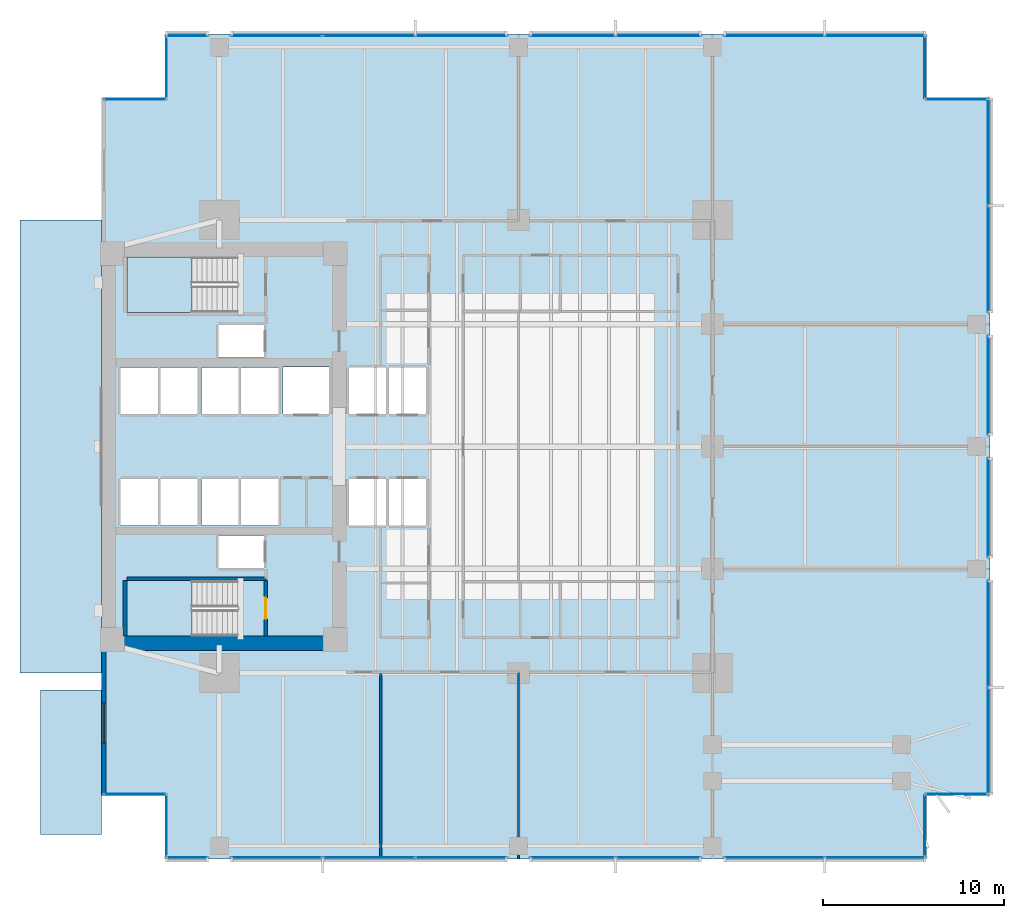
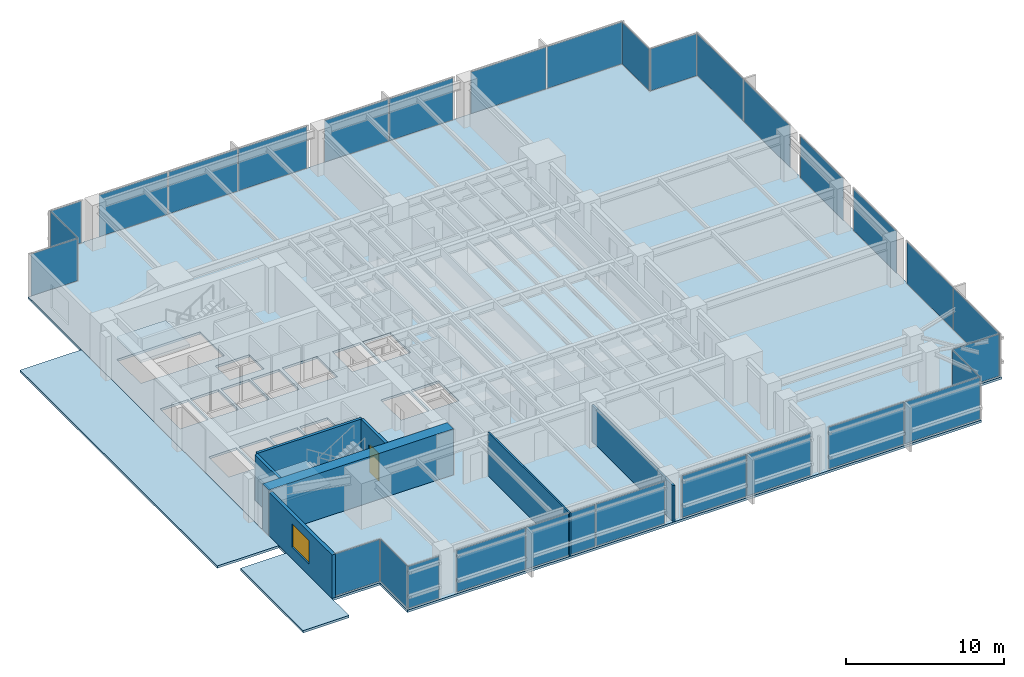
# One storey, part 8 of 16: 30 plates, 7 walls, 5 slabs, 1 door, 1 window, 2 openings, 22 elements without a shape of their own.
"""IFC4 building model written with IfcOpenShell, lengths in metres."""

from ifc_helpers import new_model, si_unit, direction, frame, frame_2d, origin, origin_2d, place, context, subcontext, project, spatial, polyline, rectangle, outline, extrude, material, layer, layer_set, type_object, element, fill, aggregate, save


model = new_model("IFC4")

# Units and contexts
model_context = context("Model", 3, precision=1e-05, world=origin(), true_north=direction((0.0, 1.0)))
body_context = subcontext(model_context, "Body", "Model", "MODEL_VIEW")
ifc_project = project(units=[si_unit("LENGTHUNIT", "METRE"), si_unit("AREAUNIT", "SQUARE_METRE"), si_unit("VOLUMEUNIT", "CUBIC_METRE"), si_unit("PLANEANGLEUNIT", "RADIAN"), si_unit("MASSUNIT", "GRAM", prefix="KILO")], contexts=[model_context])

# Site, building, storey
site_placement = place(None, origin())
site = spatial("IfcSite", under=ifc_project, at=site_placement, CompositionType="ELEMENT")
building_placement = place(site_placement, origin())
building = spatial("IfcBuilding", under=site, at=building_placement, Name="Kinhvarn Gate Tower", CompositionType="ELEMENT")
storey_placement = place(building_placement, frame((0.0, 0.0, 25.60009765625)))
storey = spatial("IfcBuildingStorey", under=building, at=storey_placement, Name="L05", CompositionType="ELEMENT", Elevation=25.60009765625)

# Curtain wall, plate
ifc_material_1 = material(Name="Anodised aluminium AW-6063", Category="aluminium")
ifc_layer_1 = layer(ifc_material_1, 0.179931640625)
ifc_layer_set_1 = layer_set([ifc_layer_1], Name="Anodised aluminium AW-6063")
curtain_wall_type_1 = type_object("IfcCurtainWallType", Name="CW-SYS-2", PredefinedType="NOTDEFINED", material=ifc_layer_set_1)
curtain_wall_1_placement = place(storey_placement, origin())
curtain_wall_1 = element("IfcCurtainWall", 1, at=curtain_wall_1_placement, inside=storey, type_object=curtain_wall_type_1, Name="Curtain Wall CW2 (L05)", PredefinedType="NOTDEFINED")
ifc_material_2 = material(Name="Clear low-e double glazing", Category="glass")
ifc_layer_2 = layer(ifc_material_2, 0.031982421875)
ifc_layer_set_2 = layer_set([ifc_layer_2], Name="Clear low-e double glazing")
plate_type = type_object("IfcPlateType", Name="CW-PNL-VIS", PredefinedType="CURTAIN_PANEL", material=ifc_layer_set_2)
plate_1_placement = place(storey_placement, frame((9.2099609375, 2.590087890625, 0.06982421875), z_axis=(0.0, 0.0, 1.0), x_axis=(1.0, 0.0, 0.0)))
plate_1 = element("IfcPlate", 2, at=plate_1_placement, type_object=plate_type, Name="CW2 panel 1.1", PredefinedType="CURTAIN_PANEL", context=body_context, shape_type="SweptSolid", body=[
    extrude(rectangle(XDim=2.280029296875, YDim=0.031982421875, at=origin_2d()), origin(), (0.0, 0.0, 1.0), 3.22998046875),
])
aggregate(curtain_wall_1, [plate_1])

# Curtain wall, plates
curtain_wall_2_placement = place(storey_placement, origin())
curtain_wall_2 = element("IfcCurtainWall", 3, at=curtain_wall_2_placement, inside=storey, type_object=curtain_wall_type_1, Name="Curtain Wall CW2 (L05)", PredefinedType="NOTDEFINED")
plate_2_placement = place(storey_placement, frame((14.154052734375, 2.590087890625, 0.06982421875), z_axis=(0.0, 0.0, 1.0), x_axis=(1.0, 0.0, 0.0)))
plate_2 = element("IfcPlate", 4, at=plate_2_placement, type_object=plate_type, Name="CW2 panel 1.1", PredefinedType="CURTAIN_PANEL", context=body_context, shape_type="SweptSolid", body=[
    extrude(rectangle(XDim=5.00830078125, YDim=0.031982421875, at=origin_2d()), origin(), (0.0, 0.0, 1.0), 3.22998046875),
])
plate_3_placement = place(storey_placement, frame((19.25, 2.590087890625, 0.06982421875), z_axis=(0.0, 0.0, 1.0), x_axis=(1.0, 0.0, 0.0)))
plate_3 = element("IfcPlate", 5, at=plate_3_placement, type_object=plate_type, Name="CW2 panel 2.1", PredefinedType="CURTAIN_PANEL", context=body_context, shape_type="SweptSolid", body=[
    extrude(rectangle(XDim=5.043212890625, YDim=0.031982421875, at=origin_2d()), origin(), (0.0, 0.0, 1.0), 3.22998046875),
])
plate_4_placement = place(storey_placement, frame((24.345947265625, 2.590087890625, 0.06982421875), z_axis=(0.0, 0.0, 1.0), x_axis=(1.0, 0.0, 0.0)))
plate_4 = element("IfcPlate", 6, at=plate_4_placement, type_object=plate_type, Name="CW2 panel 3.1", PredefinedType="CURTAIN_PANEL", context=body_context, shape_type="SweptSolid", body=[
    extrude(rectangle(XDim=5.00830078125, YDim=0.031982421875, at=origin_2d()), origin(), (0.0, 0.0, 1.0), 3.22998046875),
])
aggregate(curtain_wall_2, [plate_2, plate_3, plate_4])

curtain_wall_3_placement = place(storey_placement, origin())
curtain_wall_3 = element("IfcCurtainWall", 7, at=curtain_wall_3_placement, inside=storey, type_object=curtain_wall_type_1, Name="Curtain Wall CW2 (L05)", PredefinedType="NOTDEFINED")
plate_5_placement = place(storey_placement, frame((30.482421875, 2.590087890625, 0.06982421875), z_axis=(0.0, 0.0, 1.0), x_axis=(1.0, 0.0, 0.0)))
plate_5 = element("IfcPlate", 8, at=plate_5_placement, type_object=plate_type, Name="CW2 panel 1.1", PredefinedType="CURTAIN_PANEL", context=body_context, shape_type="SweptSolid", body=[
    extrude(rectangle(XDim=4.6650390625, YDim=0.031982421875, at=origin_2d()), origin(), (0.0, 0.0, 1.0), 3.22998046875),
])
plate_6_placement = place(storey_placement, frame((35.217529296875, 2.590087890625, 0.06982421875), z_axis=(0.0, 0.0, 1.0), x_axis=(1.0, 0.0, 0.0)))
plate_6 = element("IfcPlate", 9, at=plate_6_placement, type_object=plate_type, Name="CW2 panel 2.1", PredefinedType="CURTAIN_PANEL", context=body_context, shape_type="SweptSolid", body=[
    extrude(rectangle(XDim=4.6650390625, YDim=0.031982421875, at=origin_2d()), origin(), (0.0, 0.0, 1.0), 3.22998046875),
])
aggregate(curtain_wall_3, [plate_5, plate_6])

curtain_wall_4_placement = place(storey_placement, origin())
curtain_wall_4 = element("IfcCurtainWall", 10, at=curtain_wall_4_placement, inside=storey, type_object=curtain_wall_type_1, Name="Curtain Wall CW2 (L05)", PredefinedType="NOTDEFINED")
plate_7_placement = place(storey_placement, frame((41.6025390625, 2.590087890625, 0.06982421875), z_axis=(0.0, 0.0, 1.0), x_axis=(1.0, 0.0, 0.0)))
plate_7 = element("IfcPlate", 11, at=plate_7_placement, type_object=plate_type, Name="CW2 panel 1.1", PredefinedType="CURTAIN_PANEL", context=body_context, shape_type="SweptSolid", body=[
    extrude(rectangle(XDim=5.5048828125, YDim=0.031982421875, at=origin_2d()), origin(), (0.0, 0.0, 1.0), 3.22998046875),
])
plate_8_placement = place(storey_placement, frame((47.177490234375, 2.590087890625, 0.06982421875), z_axis=(0.0, 0.0, 1.0), x_axis=(1.0, 0.0, 0.0)))
plate_8 = element("IfcPlate", 12, at=plate_8_placement, type_object=plate_type, Name="CW2 panel 2.1", PredefinedType="CURTAIN_PANEL", context=body_context, shape_type="SweptSolid", body=[
    extrude(rectangle(XDim=5.5048828125, YDim=0.031982421875, at=origin_2d()), origin(), (0.0, 0.0, 1.0), 3.22998046875),
])
aggregate(curtain_wall_4, [plate_7, plate_8])

curtain_wall_5_placement = place(storey_placement, origin())
curtain_wall_5 = element("IfcCurtainWall", 13, at=curtain_wall_5_placement, inside=storey, type_object=curtain_wall_type_1, Name="Curtain Wall CW2 (L05)", PredefinedType="NOTDEFINED")
plate_9_placement = place(storey_placement, frame((47.177490234375, 47.909912109375, 0.06982421875), z_axis=(0.0, 0.0, 1.0), x_axis=(-1.0, 0.0, 0.0)))
plate_9 = element("IfcPlate", 14, at=plate_9_placement, type_object=plate_type, Name="CW2 panel 1.1", PredefinedType="CURTAIN_PANEL", context=body_context, shape_type="SweptSolid", body=[
    extrude(rectangle(XDim=5.5048828125, YDim=0.031982421875, at=origin_2d()), origin(), (0.0, 0.0, 1.0), 3.22998046875),
])
plate_10_placement = place(storey_placement, frame((41.6025390625, 47.909912109375, 0.06982421875), z_axis=(0.0, 0.0, 1.0), x_axis=(-1.0, 0.0, 0.0)))
plate_10 = element("IfcPlate", 15, at=plate_10_placement, type_object=plate_type, Name="CW2 panel 2.1", PredefinedType="CURTAIN_PANEL", context=body_context, shape_type="SweptSolid", body=[
    extrude(rectangle(XDim=5.5048828125, YDim=0.031982421875, at=origin_2d()), origin(), (0.0, 0.0, 1.0), 3.22998046875),
])
aggregate(curtain_wall_5, [plate_9, plate_10])

curtain_wall_6_placement = place(storey_placement, origin())
curtain_wall_6 = element("IfcCurtainWall", 16, at=curtain_wall_6_placement, inside=storey, type_object=curtain_wall_type_1, Name="Curtain Wall CW2 (L05)", PredefinedType="NOTDEFINED")
plate_11_placement = place(storey_placement, frame((35.217529296875, 47.909912109375, 0.06982421875), z_axis=(0.0, 0.0, 1.0), x_axis=(-1.0, 0.0, 0.0)))
plate_11 = element("IfcPlate", 17, at=plate_11_placement, type_object=plate_type, Name="CW2 panel 1.1", PredefinedType="CURTAIN_PANEL", context=body_context, shape_type="SweptSolid", body=[
    extrude(rectangle(XDim=4.6650390625, YDim=0.031982421875, at=origin_2d()), origin(), (0.0, 0.0, 1.0), 3.22998046875),
])
plate_12_placement = place(storey_placement, frame((30.482421875, 47.909912109375, 0.06982421875), z_axis=(0.0, 0.0, 1.0), x_axis=(-1.0, 0.0, 0.0)))
plate_12 = element("IfcPlate", 18, at=plate_12_placement, type_object=plate_type, Name="CW2 panel 2.1", PredefinedType="CURTAIN_PANEL", context=body_context, shape_type="SweptSolid", body=[
    extrude(rectangle(XDim=4.6650390625, YDim=0.031982421875, at=origin_2d()), origin(), (0.0, 0.0, 1.0), 3.22998046875),
])
aggregate(curtain_wall_6, [plate_11, plate_12])

curtain_wall_7_placement = place(storey_placement, origin())
curtain_wall_7 = element("IfcCurtainWall", 19, at=curtain_wall_7_placement, inside=storey, type_object=curtain_wall_type_1, Name="Curtain Wall CW2 (L05)", PredefinedType="NOTDEFINED")
plate_13_placement = place(storey_placement, frame((24.345947265625, 47.909912109375, 0.06982421875), z_axis=(0.0, 0.0, 1.0), x_axis=(-1.0, 0.0, 0.0)))
plate_13 = element("IfcPlate", 20, at=plate_13_placement, type_object=plate_type, Name="CW2 panel 1.1", PredefinedType="CURTAIN_PANEL", context=body_context, shape_type="SweptSolid", body=[
    extrude(rectangle(XDim=5.00830078125, YDim=0.031982421875, at=origin_2d()), origin(), (0.0, 0.0, 1.0), 3.22998046875),
])
plate_14_placement = place(storey_placement, frame((19.25, 47.909912109375, 0.06982421875), z_axis=(0.0, 0.0, 1.0), x_axis=(-1.0, 0.0, 0.0)))
plate_14 = element("IfcPlate", 21, at=plate_14_placement, type_object=plate_type, Name="CW2 panel 2.1", PredefinedType="CURTAIN_PANEL", context=body_context, shape_type="SweptSolid", body=[
    extrude(rectangle(XDim=5.043212890625, YDim=0.031982421875, at=origin_2d()), origin(), (0.0, 0.0, 1.0), 3.22998046875),
])
plate_15_placement = place(storey_placement, frame((14.154052734375, 47.909912109375, 0.06982421875), z_axis=(0.0, 0.0, 1.0), x_axis=(-1.0, 0.0, 0.0)))
plate_15 = element("IfcPlate", 22, at=plate_15_placement, type_object=plate_type, Name="CW2 panel 3.1", PredefinedType="CURTAIN_PANEL", context=body_context, shape_type="SweptSolid", body=[
    extrude(rectangle(XDim=5.00830078125, YDim=0.031982421875, at=origin_2d()), origin(), (0.0, 0.0, 1.0), 3.22998046875),
])
aggregate(curtain_wall_7, [plate_13, plate_14, plate_15])

# Curtain wall, plate
curtain_wall_8_placement = place(storey_placement, origin())
curtain_wall_8 = element("IfcCurtainWall", 23, at=curtain_wall_8_placement, inside=storey, type_object=curtain_wall_type_1, Name="Curtain Wall CW2 (L05)", PredefinedType="NOTDEFINED")
plate_16_placement = place(storey_placement, frame((9.2099609375, 47.909912109375, 0.06982421875), z_axis=(0.0, 0.0, 1.0), x_axis=(-1.0, 0.0, 0.0)))
plate_16 = element("IfcPlate", 24, at=plate_16_placement, type_object=plate_type, Name="CW2 panel 1.1", PredefinedType="CURTAIN_PANEL", context=body_context, shape_type="SweptSolid", body=[
    extrude(rectangle(XDim=2.280029296875, YDim=0.031982421875, at=origin_2d()), origin(), (0.0, 0.0, 1.0), 3.22998046875),
])
aggregate(curtain_wall_8, [plate_16])

# Curtain wall, plates
curtain_wall_9_placement = place(storey_placement, origin())
curtain_wall_9 = element("IfcCurtainWall", 25, at=curtain_wall_9_placement, inside=storey, type_object=curtain_wall_type_1, Name="Curtain Wall CW2 (L05)", PredefinedType="NOTDEFINED")
plate_17_placement = place(storey_placement, frame((53.409912109375, 8.99755859375, 0.06982421875), z_axis=(0.0, 0.0, 1.0), x_axis=(0.0, 1.0, 0.0)))
plate_17 = element("IfcPlate", 26, at=plate_17_placement, type_object=plate_type, Name="CW2 panel 1.1", PredefinedType="CURTAIN_PANEL", context=body_context, shape_type="SweptSolid", body=[
    extrude(rectangle(XDim=5.85498046875, YDim=0.031982421875, at=origin_2d()), origin(), (0.0, 0.0, 1.0), 3.22998046875),
])
plate_18_placement = place(storey_placement, frame((53.409912109375, 14.922607421875, 0.06982421875), z_axis=(0.0, 0.0, 1.0), x_axis=(0.0, 1.0, 0.0)))
plate_18 = element("IfcPlate", 27, at=plate_18_placement, type_object=plate_type, Name="CW2 panel 2.1", PredefinedType="CURTAIN_PANEL", context=body_context, shape_type="SweptSolid", body=[
    extrude(rectangle(XDim=5.85498046875, YDim=0.031982421875, at=origin_2d()), origin(), (0.0, 0.0, 1.0), 3.22998046875),
])
aggregate(curtain_wall_9, [plate_17, plate_18])

# Curtain wall, plate
curtain_wall_10_placement = place(storey_placement, origin())
curtain_wall_10 = element("IfcCurtainWall", 28, at=curtain_wall_10_placement, inside=storey, type_object=curtain_wall_type_1, Name="Curtain Wall CW2 (L05)", PredefinedType="NOTDEFINED")
plate_19_placement = place(storey_placement, frame((53.409912109375, 21.875, 0.06982421875), z_axis=(0.0, 0.0, 1.0), x_axis=(0.0, 1.0, 0.0)))
plate_19 = element("IfcPlate", 29, at=plate_19_placement, type_object=plate_type, Name="CW2 panel 1.1", PredefinedType="CURTAIN_PANEL", context=body_context, shape_type="SweptSolid", body=[
    extrude(rectangle(XDim=5.449951171875, YDim=0.031982421875, at=origin_2d()), origin(), (0.0, 0.0, 1.0), 3.22998046875),
])
aggregate(curtain_wall_10, [plate_19])

curtain_wall_11_placement = place(storey_placement, origin())
curtain_wall_11 = element("IfcCurtainWall", 30, at=curtain_wall_11_placement, inside=storey, type_object=curtain_wall_type_1, Name="Curtain Wall CW2 (L05)", PredefinedType="NOTDEFINED")
plate_20_placement = place(storey_placement, frame((53.409912109375, 28.625, 0.06982421875), z_axis=(0.0, 0.0, 1.0), x_axis=(0.0, 1.0, 0.0)))
plate_20 = element("IfcPlate", 31, at=plate_20_placement, type_object=plate_type, Name="CW2 panel 1.1", PredefinedType="CURTAIN_PANEL", context=body_context, shape_type="SweptSolid", body=[
    extrude(rectangle(XDim=5.449951171875, YDim=0.031982421875, at=origin_2d()), origin(), (0.0, 0.0, 1.0), 3.22998046875),
])
aggregate(curtain_wall_11, [plate_20])

# Curtain wall, plates
curtain_wall_12_placement = place(storey_placement, origin())
curtain_wall_12 = element("IfcCurtainWall", 32, at=curtain_wall_12_placement, inside=storey, type_object=curtain_wall_type_1, Name="Curtain Wall CW2 (L05)", PredefinedType="NOTDEFINED")
plate_21_placement = place(storey_placement, frame((53.409912109375, 35.577392578125, 0.06982421875), z_axis=(0.0, 0.0, 1.0), x_axis=(0.0, 1.0, 0.0)))
plate_21 = element("IfcPlate", 33, at=plate_21_placement, type_object=plate_type, Name="CW2 panel 1.1", PredefinedType="CURTAIN_PANEL", context=body_context, shape_type="SweptSolid", body=[
    extrude(rectangle(XDim=5.85498046875, YDim=0.031982421875, at=origin_2d()), origin(), (0.0, 0.0, 1.0), 3.22998046875),
])
plate_22_placement = place(storey_placement, frame((53.409912109375, 41.50244140625, 0.06982421875), z_axis=(0.0, 0.0, 1.0), x_axis=(0.0, 1.0, 0.0)))
plate_22 = element("IfcPlate", 34, at=plate_22_placement, type_object=plate_type, Name="CW2 panel 2.1", PredefinedType="CURTAIN_PANEL", context=body_context, shape_type="SweptSolid", body=[
    extrude(rectangle(XDim=5.85498046875, YDim=0.031982421875, at=origin_2d()), origin(), (0.0, 0.0, 1.0), 3.22998046875),
])
aggregate(curtain_wall_12, [plate_21, plate_22])

# Curtain wall, plate
ifc_layer_3 = layer(ifc_material_1, 0.179931640625)
ifc_layer_set_3 = layer_set([ifc_layer_3], Name="Anodised aluminium AW-6063")
curtain_wall_type_2 = type_object("IfcCurtainWallType", Name="CW-SYS-4", PredefinedType="NOTDEFINED", material=ifc_layer_set_3)
curtain_wall_13_placement = place(storey_placement, origin())
curtain_wall_13 = element("IfcCurtainWall", 35, at=curtain_wall_13_placement, inside=storey, type_object=curtain_wall_type_2, Name="Curtain Wall CW4 (L05)", PredefinedType="NOTDEFINED")
plate_23_placement = place(storey_placement, frame((6.340087890625, 6.090087890625, 0.06494140625), z_axis=(0.0, 0.0, 1.0), x_axis=(1.0, 0.0, 0.0)))
plate_23 = element("IfcPlate", 36, at=plate_23_placement, type_object=plate_type, Name="CW4 panel 1.1", PredefinedType="CURTAIN_PANEL", context=body_context, shape_type="SweptSolid", body=[
    extrude(rectangle(XDim=3.3701171875, YDim=0.031982421875, at=origin_2d()), origin(), (0.0, 0.0, 1.0), 3.239990234375),
])
aggregate(curtain_wall_13, [plate_23])

curtain_wall_14_placement = place(storey_placement, origin())
curtain_wall_14 = element("IfcCurtainWall", 37, at=curtain_wall_14_placement, inside=storey, type_object=curtain_wall_type_2, Name="Curtain Wall CW4 (L05)", PredefinedType="NOTDEFINED")
plate_24_placement = place(storey_placement, frame((8.090087890625, 4.340087890625, 0.06494140625), z_axis=(0.0, 0.0, 1.0), x_axis=(0.0, -1.0, 0.0)))
plate_24 = element("IfcPlate", 38, at=plate_24_placement, type_object=plate_type, Name="CW4 panel 1.1", PredefinedType="CURTAIN_PANEL", context=body_context, shape_type="SweptSolid", body=[
    extrude(rectangle(XDim=3.3701171875, YDim=0.031982421875, at=origin_2d()), origin(), (0.0, 0.0, 1.0), 3.239990234375),
])
aggregate(curtain_wall_14, [plate_24])

curtain_wall_15_placement = place(storey_placement, origin())
curtain_wall_15 = element("IfcCurtainWall", 39, at=curtain_wall_15_placement, inside=storey, type_object=curtain_wall_type_2, Name="Curtain Wall CW4 (L05)", PredefinedType="NOTDEFINED")
plate_25_placement = place(storey_placement, frame((49.909912109375, 4.340087890625, 0.06494140625), z_axis=(0.0, 0.0, 1.0), x_axis=(0.0, 1.0, 0.0)))
plate_25 = element("IfcPlate", 40, at=plate_25_placement, type_object=plate_type, Name="CW4 panel 1.1", PredefinedType="CURTAIN_PANEL", context=body_context, shape_type="SweptSolid", body=[
    extrude(rectangle(XDim=3.3701171875, YDim=0.031982421875, at=origin_2d()), origin(), (0.0, 0.0, 1.0), 3.239990234375),
])
aggregate(curtain_wall_15, [plate_25])

curtain_wall_16_placement = place(storey_placement, origin())
curtain_wall_16 = element("IfcCurtainWall", 41, at=curtain_wall_16_placement, inside=storey, type_object=curtain_wall_type_2, Name="Curtain Wall CW4 (L05)", PredefinedType="NOTDEFINED")
plate_26_placement = place(storey_placement, frame((51.659912109375, 6.090087890625, 0.06494140625), z_axis=(0.0, 0.0, 1.0), x_axis=(1.0, 0.0, 0.0)))
plate_26 = element("IfcPlate", 42, at=plate_26_placement, type_object=plate_type, Name="CW4 panel 1.1", PredefinedType="CURTAIN_PANEL", context=body_context, shape_type="SweptSolid", body=[
    extrude(rectangle(XDim=3.3701171875, YDim=0.031982421875, at=origin_2d()), origin(), (0.0, 0.0, 1.0), 3.239990234375),
])
aggregate(curtain_wall_16, [plate_26])

curtain_wall_17_placement = place(storey_placement, origin())
curtain_wall_17 = element("IfcCurtainWall", 43, at=curtain_wall_17_placement, inside=storey, type_object=curtain_wall_type_2, Name="Curtain Wall CW4 (L05)", PredefinedType="NOTDEFINED")
plate_27_placement = place(storey_placement, frame((51.659912109375, 44.409912109375, 0.06494140625), z_axis=(0.0, 0.0, 1.0), x_axis=(-1.0, 0.0, 0.0)))
plate_27 = element("IfcPlate", 44, at=plate_27_placement, type_object=plate_type, Name="CW4 panel 1.1", PredefinedType="CURTAIN_PANEL", context=body_context, shape_type="SweptSolid", body=[
    extrude(rectangle(XDim=3.3701171875, YDim=0.031982421875, at=origin_2d()), origin(), (0.0, 0.0, 1.0), 3.239990234375),
])
aggregate(curtain_wall_17, [plate_27])

curtain_wall_18_placement = place(storey_placement, origin())
curtain_wall_18 = element("IfcCurtainWall", 45, at=curtain_wall_18_placement, inside=storey, type_object=curtain_wall_type_2, Name="Curtain Wall CW4 (L05)", PredefinedType="NOTDEFINED")
plate_28_placement = place(storey_placement, frame((49.909912109375, 46.159912109375, 0.06494140625), z_axis=(0.0, 0.0, 1.0), x_axis=(0.0, 1.0, 0.0)))
plate_28 = element("IfcPlate", 46, at=plate_28_placement, type_object=plate_type, Name="CW4 panel 1.1", PredefinedType="CURTAIN_PANEL", context=body_context, shape_type="SweptSolid", body=[
    extrude(rectangle(XDim=3.3701171875, YDim=0.031982421875, at=origin_2d()), origin(), (0.0, 0.0, 1.0), 3.239990234375),
])
aggregate(curtain_wall_18, [plate_28])

curtain_wall_19_placement = place(storey_placement, origin())
curtain_wall_19 = element("IfcCurtainWall", 47, at=curtain_wall_19_placement, inside=storey, type_object=curtain_wall_type_2, Name="Curtain Wall CW4 (L05)", PredefinedType="NOTDEFINED")
plate_29_placement = place(storey_placement, frame((8.090087890625, 46.159912109375, 0.06494140625), z_axis=(0.0, 0.0, 1.0), x_axis=(0.0, -1.0, 0.0)))
plate_29 = element("IfcPlate", 48, at=plate_29_placement, type_object=plate_type, Name="CW4 panel 1.1", PredefinedType="CURTAIN_PANEL", context=body_context, shape_type="SweptSolid", body=[
    extrude(rectangle(XDim=3.3701171875, YDim=0.031982421875, at=origin_2d()), origin(), (0.0, 0.0, 1.0), 3.239990234375),
])
aggregate(curtain_wall_19, [plate_29])

curtain_wall_20_placement = place(storey_placement, origin())
curtain_wall_20 = element("IfcCurtainWall", 49, at=curtain_wall_20_placement, inside=storey, type_object=curtain_wall_type_2, Name="Curtain Wall CW4 (L05)", PredefinedType="NOTDEFINED")
plate_30_placement = place(storey_placement, frame((6.340087890625, 44.409912109375, 0.06494140625), z_axis=(0.0, 0.0, 1.0), x_axis=(-1.0, 0.0, 0.0)))
plate_30 = element("IfcPlate", 50, at=plate_30_placement, type_object=plate_type, Name="CW4 panel 1.1", PredefinedType="CURTAIN_PANEL", context=body_context, shape_type="SweptSolid", body=[
    extrude(rectangle(XDim=3.3701171875, YDim=0.031982421875, at=origin_2d()), origin(), (0.0, 0.0, 1.0), 3.239990234375),
])
aggregate(curtain_wall_20, [plate_30])

# Slabs
ifc_material_3 = material(Name="Concrete C40/50", Category="concrete")
ifc_layer_4 = layer(ifc_material_3, 0.179931640625)
ifc_layer_set_4 = layer_set([ifc_layer_4], Name="Concrete C40/50")
slab_type_1 = type_object("IfcSlabType", Name="SLB-FLR-180", PredefinedType="FLOOR", material=ifc_layer_set_4)
slab_1_placement = place(storey_placement, frame((0.0, 0.0, -0.18017578125)))
element("IfcSlab", 51, at=slab_1_placement, inside=storey, type_object=slab_type_1, Name="Suspended Floor Slab L05", PredefinedType="FLOOR", context=body_context, shape_type="SweptSolid", body=[
    extrude(outline(polyline([(8.0, 2.5), (50.0, 2.5), (50.0, 6.0), (53.5, 6.0), (53.5, 44.5), (50.0, 44.5), (50.0, 48.0), (8.0, 48.0), (8.0, 44.5), (4.5, 44.5), (4.5, 6.0), (8.0, 6.0), (8.0, 2.5)]), holes=[polyline([(5.89990234375, 14.800048828125), (12.0, 14.800048828125), (12.0, 17.85009765625), (5.89990234375, 17.85009765625), (5.89990234375, 14.800048828125)]), polyline([(5.89990234375, 32.64990234375), (12.0, 32.64990234375), (12.0, 35.699951171875), (5.89990234375, 35.699951171875), (5.89990234375, 32.64990234375)]), polyline([(18.14990234375, 20.89990234375), (20.199951171875, 20.89990234375), (20.199951171875, 23.449951171875), (18.14990234375, 23.449951171875), (18.14990234375, 20.89990234375)]), polyline([(20.35009765625, 20.89990234375), (22.39990234375, 20.89990234375), (22.39990234375, 23.449951171875), (20.35009765625, 23.449951171875), (20.35009765625, 20.89990234375)]), polyline([(18.14990234375, 27.050048828125), (20.199951171875, 27.050048828125), (20.199951171875, 29.60009765625), (18.14990234375, 29.60009765625), (18.14990234375, 27.050048828125)]), polyline([(20.35009765625, 27.050048828125), (22.39990234375, 27.050048828125), (22.39990234375, 29.60009765625), (20.35009765625, 29.60009765625), (20.35009765625, 27.050048828125)]), polyline([(5.550048828125, 20.89990234375), (7.60009765625, 20.89990234375), (7.60009765625, 23.449951171875), (5.550048828125, 23.449951171875), (5.550048828125, 20.89990234375)]), polyline([(7.75, 20.89990234375), (9.800048828125, 20.89990234375), (9.800048828125, 23.449951171875), (7.75, 23.449951171875), (7.75, 20.89990234375)]), polyline([(5.550048828125, 27.050048828125), (7.60009765625, 27.050048828125), (7.60009765625, 29.60009765625), (5.550048828125, 29.60009765625), (5.550048828125, 27.050048828125)]), polyline([(7.75, 27.050048828125), (9.800048828125, 27.050048828125), (9.800048828125, 29.60009765625), (7.75, 29.60009765625), (7.75, 27.050048828125)]), polyline([(10.0, 20.89990234375), (12.050048828125, 20.89990234375), (12.050048828125, 23.449951171875), (10.0, 23.449951171875), (10.0, 20.89990234375)]), polyline([(12.199951171875, 20.89990234375), (14.25, 20.89990234375), (14.25, 23.449951171875), (12.199951171875, 23.449951171875), (12.199951171875, 20.89990234375)]), polyline([(10.0, 27.050048828125), (12.050048828125, 27.050048828125), (12.050048828125, 29.60009765625), (10.0, 29.60009765625), (10.0, 27.050048828125)]), polyline([(12.199951171875, 27.050048828125), (14.25, 27.050048828125), (14.25, 29.60009765625), (12.199951171875, 29.60009765625), (12.199951171875, 27.050048828125)]), polyline([(14.5, 27.050048828125), (17.050048828125, 27.050048828125), (17.050048828125, 29.64990234375), (14.5, 29.64990234375), (14.5, 27.050048828125)]), polyline([(10.949951171875, 18.550048828125), (13.449951171875, 18.550048828125), (13.449951171875, 20.35009765625), (10.949951171875, 20.35009765625), (10.949951171875, 18.550048828125)]), polyline([(10.949951171875, 30.14990234375), (13.449951171875, 30.14990234375), (13.449951171875, 31.949951171875), (10.949951171875, 31.949951171875), (10.949951171875, 30.14990234375)])]), origin(), (0.0, 0.0, 1.0), 0.18017578125),
])
ifc_layer_5 = layer(ifc_material_3, 0.179931640625)
ifc_layer_set_5 = layer_set([ifc_layer_5], Name="Concrete C40/50")
slab_type_2 = type_object("IfcSlabType", Name="SLB-PRF-180", PredefinedType="ROOF", material=ifc_layer_set_5)
slab_2_placement = place(storey_placement, frame((0.0, 0.0, -0.18017578125)))
element("IfcSlab", 52, at=slab_2_placement, inside=storey, type_object=slab_type_2, Name="Podium West Wing Roof Slab over the West Executive Lounge", PredefinedType="ROOF", context=body_context, shape_type="SweptSolid", body=[
    extrude(outline(polyline([(0.0, 12.75), (4.5, 12.75), (4.5, 37.75), (0.0, 37.75), (0.0, 12.75)])), origin(), (0.0, 0.0, 1.0), 0.18017578125),
])
slab_3_placement = place(storey_placement, frame((0.0, 0.0, -0.18017578125)))
element("IfcSlab", 53, at=slab_3_placement, inside=storey, type_object=slab_type_2, Name="Podium West Wing Roof Slab over the Head of Exit Stair ST3", PredefinedType="ROOF", context=body_context, shape_type="SweptSolid", body=[
    extrude(outline(polyline([(1.139892578125, 3.85009765625), (4.5, 3.85009765625), (4.5, 11.81005859375), (1.139892578125, 11.81005859375), (1.139892578125, 3.85009765625)])), origin(), (0.0, 0.0, 1.0), 0.18017578125),
])

# Stair, slab
stair_type = type_object("IfcStairType", Name="STR-DLG-177", PredefinedType="HALF_TURN_STAIR", material=ifc_material_3)
stair_1_placement = place(storey_placement, origin())
stair_1 = element("IfcStair", 54, at=stair_1_placement, inside=storey, type_object=stair_type, Name="L05 Core Smokeproof Exit Stair ST1", PredefinedType="HALF_TURN_STAIR")
ifc_layer_6 = layer(ifc_material_3, 0.199951171875)
ifc_layer_set_6 = layer_set([ifc_layer_6], Name="Concrete C40/50")
slab_type_3 = type_object("IfcSlabType", Name="SLB-ST-LND", PredefinedType="LANDING", material=ifc_layer_set_6)
slab_4_placement = place(storey_placement, frame((0.0, 0.0, 1.574951171875)))
slab_4 = element("IfcSlab", 55, at=slab_4_placement, type_object=slab_type_3, Name="ST1 landing 1", PredefinedType="LANDING", context=body_context, shape_type="SweptSolid", body=[
    extrude(outline(polyline([(9.47998046875, 17.85009765625), (5.89990234375, 17.85009765625), (5.89990234375, 14.800048828125), (9.47998046875, 14.800048828125), (9.47998046875, 17.85009765625)])), origin(), (0.0, 0.0, 1.0), 0.199951171875),
])
aggregate(stair_1, [slab_4])

stair_2_placement = place(storey_placement, origin())
stair_2 = element("IfcStair", 56, at=stair_2_placement, inside=storey, type_object=stair_type, Name="L05 Core Smokeproof Exit Stair ST2", PredefinedType="HALF_TURN_STAIR")
slab_5_placement = place(storey_placement, frame((0.0, 0.0, 1.574951171875)))
slab_5 = element("IfcSlab", 57, at=slab_5_placement, type_object=slab_type_3, Name="ST2 landing 1", PredefinedType="LANDING", context=body_context, shape_type="SweptSolid", body=[
    extrude(outline(polyline([(9.47998046875, 35.699951171875), (5.89990234375, 35.699951171875), (5.89990234375, 32.64990234375), (9.47998046875, 32.64990234375), (9.47998046875, 35.699951171875)])), origin(), (0.0, 0.0, 1.0), 0.199951171875),
])
aggregate(stair_2, [slab_5])

# Wall
ifc_material_4 = material(Name="Concrete C70/85", Category="concrete")
ifc_layer_7 = layer(ifc_material_4, 0.800048828125)
ifc_layer_set_7 = layer_set([ifc_layer_7], Name="Concrete C70/85")
wall_type_1 = type_object("IfcWallType", Name="WL-CORE-800", PredefinedType="SHEAR", material=ifc_layer_set_7)
wall_1_placement = place(storey_placement, frame((4.5, 14.39990234375, 0.0), z_axis=(0.0, 0.0, 1.0), x_axis=(1.0, 0.0, 0.0)))
element("IfcWall", 58, at=wall_1_placement, inside=storey, type_object=wall_type_1, Name="Core South Shear Wall L05 800 mm", PredefinedType="SHEAR", context=body_context, shape_type="SweptSolid", body=[
    extrude(rectangle(XDim=13.5, YDim=0.800048828125, at=frame_2d((6.75, 0.0))), origin(), (0.0, 0.0, 1.0), 3.5498046875),
])

# Wall, opening, window
ifc_material_5 = material(Name="Fired architectural terracotta", Category="masonry")
ifc_layer_8 = layer(ifc_material_5, 0.25)
ifc_layer_set_8 = layer_set([ifc_layer_8], Name="Fired architectural terracotta")
wall_type_2 = type_object("IfcWallType", Name="WL-EXT-250", PredefinedType="SOLIDWALL", material=ifc_layer_set_8)
wall_2_placement = place(storey_placement, frame((4.625, 14.0, 0.0), z_axis=(0.0, 0.0, 1.0), x_axis=(0.0, -1.0, 0.0)))
wall_2 = element("IfcWall", 59, at=wall_2_placement, inside=storey, type_object=wall_type_2, Name="Exterior Solidwall Wall EW-250 (L05 West-South)", PredefinedType="SOLIDWALL", context=body_context, shape_type="SweptSolid", body=[
    extrude(rectangle(XDim=8.0, YDim=0.25, at=frame_2d((4.0, 0.0))), origin(), (0.0, 0.0, 1.0), 3.369873046875),
])
opening_1_placement = place(wall_2_placement, frame((2.89990234375, 0.0, 0.89990234375)))
opening_1 = element("IfcOpeningElement", 60, at=opening_1_placement, cuts=wall_2, Name="Opening WN-01", PredefinedType="OPENING", context=body_context, shape_type="SweptSolid", body=[
    extrude(rectangle(XDim=2.199951171875, YDim=1.800048828125, at=frame_2d((1.10009765625, 0.89990234375))), frame((0.0, 0.135009765625, 0.0), z_axis=(0.0, -1.0, 0.0), x_axis=(1.0, 0.0, 0.0)), (0.0, 0.0, 1.0), 0.27001953125),
])
window_type = type_object("IfcWindowType", Name="WIN-RIB-2200", PartitioningType="SINGLE_PANEL", PredefinedType="WINDOW", material=ifc_material_2)
window_placement = place(opening_1_placement, origin())
window = element("IfcWindow", 61, at=window_placement, inside=storey, type_object=window_type, Name="West Flank Double-Glazed Ribbon Window 2200x1800 mm (L05)", OverallHeight=1.800048828125, OverallWidth=2.199951171875, PartitioningType="SINGLE_PANEL", PredefinedType="WINDOW", context=body_context, shape_type="SweptSolid", body=[
    extrude(rectangle(XDim=2.199951171875, YDim=1.800048828125, at=frame_2d((1.10009765625, 0.89990234375))), frame((0.0, 0.030029296875, 0.0), z_axis=(0.0, -1.0, 0.0), x_axis=(1.0, 0.0, 0.0)), (0.0, 0.0, 1.0), 0.06005859375),
])
fill(opening_1, window)

# Walls
ifc_material_6 = material(Name="Gypsum acoustic partition board")
ifc_layer_9 = layer(ifc_material_6, 0.1201171875)
ifc_layer_set_9 = layer_set([ifc_layer_9], Name="Gypsum acoustic partition board")
wall_type_3 = type_object("IfcWallType", Name="WL-PRT-120", PredefinedType="PARTITIONING", material=ifc_layer_set_9)
wall_3_placement = place(storey_placement, frame((19.89990234375, 2.510009765625, 0.0), z_axis=(0.0, 0.0, 1.0), x_axis=(0.0, 1.0, 0.0)))
element("IfcWall", 62, at=wall_3_placement, inside=storey, type_object=wall_type_3, Name="Interior Partition PW-120 (L05)", PredefinedType="PARTITIONING", context=body_context, shape_type="SweptSolid", body=[
    extrude(rectangle(XDim=10.2900390625, YDim=0.1201171875, at=frame_2d((5.14501953125, 0.0))), origin(), (0.0, 0.0, 1.0), 3.369873046875),
])
wall_4_placement = place(storey_placement, frame((27.5, 2.510009765625, 0.0), z_axis=(0.0, 0.0, 1.0), x_axis=(0.0, 1.0, 0.0)))
element("IfcWall", 63, at=wall_4_placement, inside=storey, type_object=wall_type_3, Name="Interior Partition PW-120 (L05)", PredefinedType="PARTITIONING", context=body_context, shape_type="SweptSolid", body=[
    extrude(rectangle(XDim=10.2900390625, YDim=0.1201171875, at=frame_2d((5.14501953125, 0.0))), origin(), (0.0, 0.0, 1.0), 2.81982421875),
])
ifc_layer_10 = layer(ifc_material_3, 0.199951171875)
ifc_layer_set_10 = layer_set([ifc_layer_10], Name="Concrete C40/50")
wall_type_4 = type_object("IfcWallType", Name="WL-SHF-200", PredefinedType="SOLIDWALL", material=ifc_layer_set_10)
wall_5_placement = place(storey_placement, frame((5.7900390625, 14.800048828125, 0.0), z_axis=(0.0, 0.0, 1.0), x_axis=(0.0, 1.0, 0.0)))
element("IfcWall", 64, at=wall_5_placement, inside=storey, type_object=wall_type_4, Name="Stair ST1 West Shaft Wall (L05)", PredefinedType="SOLIDWALL", context=body_context, shape_type="SweptSolid", body=[
    extrude(rectangle(XDim=3.050048828125, YDim=0.199951171875, at=frame_2d((1.52490234375, 0.0))), origin(), (0.0, 0.0, 1.0), 3.5498046875),
])
wall_6_placement = place(storey_placement, frame((5.89990234375, 17.9599609375, 0.0), z_axis=(0.0, 0.0, 1.0), x_axis=(1.0, 0.0, 0.0)))
element("IfcWall", 65, at=wall_6_placement, inside=storey, type_object=wall_type_4, Name="Stair ST1 North Shaft Wall (L05)", PredefinedType="SOLIDWALL", context=body_context, shape_type="SweptSolid", body=[
    extrude(rectangle(XDim=7.66015625, YDim=0.199951171875, at=frame_2d((3.830078125, 0.0))), origin(), (0.0, 0.0, 1.0), 3.5498046875),
])

# Wall, opening, door
wall_7_placement = place(storey_placement, frame((13.56005859375, 14.800048828125, 0.0), z_axis=(0.0, 0.0, 1.0), x_axis=(0.0, 1.0, 0.0)))
wall_7 = element("IfcWall", 66, at=wall_7_placement, inside=storey, type_object=wall_type_4, Name="Stair ST1 East Entry Wall (L05)", PredefinedType="SOLIDWALL", context=body_context, shape_type="SweptSolid", body=[
    extrude(rectangle(XDim=3.050048828125, YDim=0.199951171875, at=frame_2d((1.52490234375, 0.0))), origin(), (0.0, 0.0, 1.0), 3.5498046875),
])
opening_2_placement = place(wall_7_placement, frame((0.949951171875, 0.0, 0.0)))
opening_2 = element("IfcOpeningElement", 67, at=opening_2_placement, cuts=wall_7, Name="Opening FD-01", PredefinedType="OPENING", context=body_context, shape_type="SweptSolid", body=[
    extrude(rectangle(XDim=1.14990234375, YDim=2.14990234375, at=frame_2d((0.574951171875, 1.074951171875))), frame((0.0, 0.10986328125, 0.0), z_axis=(0.0, -1.0, 0.0), x_axis=(1.0, 0.0, 0.0)), (0.0, 0.0, 1.0), 0.219970703125),
])
door_type = type_object("IfcDoorType", Name="DR-ST-1150", OperationType="NOTDEFINED", PredefinedType="DOOR", material=ifc_material_1)
door_placement = place(opening_2_placement, origin())
door = element("IfcDoor", 68, at=door_placement, inside=storey, type_object=door_type, Name="Exit Stair ST1 Fire Door (L05)", OperationType="SINGLE_SWING_LEFT", OverallHeight=2.14990234375, OverallWidth=1.14990234375, PredefinedType="DOOR", context=body_context, shape_type="SweptSolid", body=[
    extrude(rectangle(XDim=1.14990234375, YDim=2.14990234375, at=frame_2d((0.574951171875, 1.074951171875))), frame((0.0, 0.02490234375, 0.0), z_axis=(0.0, -1.0, 0.0), x_axis=(1.0, 0.0, 0.0)), (0.0, 0.0, 1.0), 0.050048828125),
])
fill(opening_2, door)

save(model, "model.ifc")
